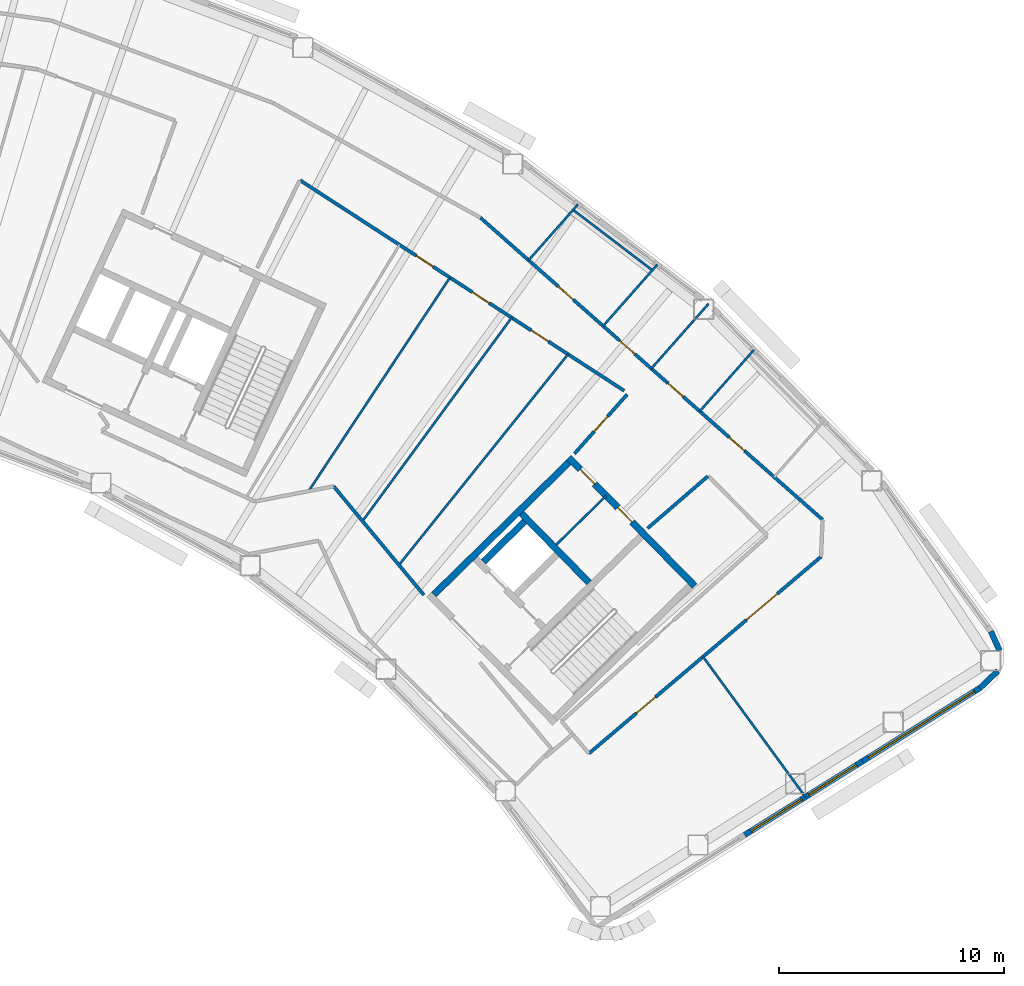
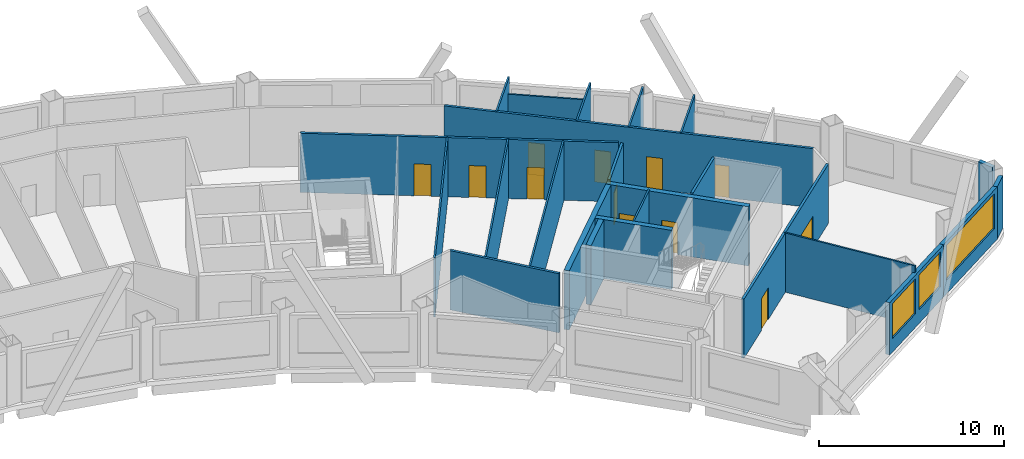
# One storey, part 10 of 15: 24 walls, 12 doors, 3 windows, 15 openings.
"""IFC4 building model written with IfcOpenShell, lengths in metres."""

from ifc_helpers import new_model, si_unit, direction, frame, frame_2d, origin, place, context, subcontext, project, spatial, rectangle, extrude, material, layer, layer_set, type_object, element, fill, save


model = new_model("IFC4")

# Units and contexts
model_context = context("Model", 3, precision=1e-05, world=origin(), true_north=direction((0.0, 1.0)))
body_context = subcontext(model_context, "Body", "Model", "MODEL_VIEW")
ifc_project = project(units=[si_unit("LENGTHUNIT", "METRE"), si_unit("AREAUNIT", "SQUARE_METRE"), si_unit("VOLUMEUNIT", "CUBIC_METRE"), si_unit("PLANEANGLEUNIT", "RADIAN"), si_unit("MASSUNIT", "GRAM", prefix="KILO")], contexts=[model_context])

# Site, building, storey
site_placement = place(None, origin())
site = spatial("IfcSite", under=ifc_project, at=site_placement, CompositionType="ELEMENT")
building_placement = place(site_placement, origin())
building = spatial("IfcBuilding", under=site, at=building_placement, Name="Tuul Gate Civic Tower", CompositionType="ELEMENT")
storey_placement = place(building_placement, frame((0.0, 0.0, 226.300048828125)))
storey = spatial("IfcBuildingStorey", under=building, at=storey_placement, Name="Level 51", CompositionType="ELEMENT", Elevation=226.300048828125)

# Wall
ifc_material_1 = material(Name="Concrete C50/60", Category="concrete")
ifc_layer_1 = layer(ifc_material_1, 0.300048828125)
ifc_layer_set_1 = layer_set([ifc_layer_1], Name="Concrete C50/60")
wall_type_1 = type_object("IfcWallType", Name="Core wall C50/60", PredefinedType="SHEAR", material=ifc_layer_set_1)
wall_1_placement = place(storey_placement, frame((49.737060546875, -12.0849609375, 0.0), z_axis=(0.0, 0.0, 1.0), x_axis=(-0.700002721075, 0.714140175657, 0.0)))
element("IfcWall", 1, at=wall_1_placement, inside=storey, type_object=wall_type_1, Name="Core wall", PredefinedType="SHEAR", context=body_context, shape_type="SweptSolid", body=[
    extrude(rectangle(XDim=4.300048828125, YDim=0.300048828125, at=frame_2d((2.14990234375, 0.0))), origin(), (0.0, 0.0, 1.0), 3.89990234375),
])

# Wall, openings, doors
wall_2_placement = place(storey_placement, frame((54.43798828125, -12.23779296875, 0.0), z_axis=(0.0, 0.0, 1.0), x_axis=(-0.700021979774, 0.714121297703, 0.0)))
wall_2 = element("IfcWall", 2, at=wall_2_placement, inside=storey, type_object=wall_type_1, Name="Core wall", PredefinedType="SHEAR", context=body_context, shape_type="SweptSolid", body=[
    extrude(rectangle(XDim=8.0, YDim=0.300048828125, at=frame_2d((4.0, 0.0))), origin(), (0.0, 0.0, 1.0), 3.89990234375),
])
opening_1_placement = place(wall_2_placement, frame((3.987548828125, 0.0, 0.0)))
opening_1 = element("IfcOpeningElement", 3, at=opening_1_placement, cuts=wall_2, Name="Opening R-D45", PredefinedType="OPENING", context=body_context, shape_type="SweptSolid", body=[
    extrude(rectangle(XDim=0.89990234375, YDim=2.10009765625, at=frame_2d((0.449951171875, 1.050048828125))), frame((0.0, 0.16015625, 0.0), z_axis=(0.0, -1.0, 0.0), x_axis=(1.0, 0.0, 0.0)), (0.0, 0.0, 1.0), 0.320068359375),
])
opening_2_placement = place(wall_2_placement, frame((6.362548828125, 0.0, 0.0)))
opening_2 = element("IfcOpeningElement", 4, at=opening_2_placement, cuts=wall_2, Name="Opening R-D46", PredefinedType="OPENING", context=body_context, shape_type="SweptSolid", body=[
    extrude(rectangle(XDim=0.89990234375, YDim=2.10009765625, at=frame_2d((0.449951171875, 1.050048828125))), frame((0.0, 0.16015625, 0.0), z_axis=(0.0, -1.0, 0.0), x_axis=(1.0, 0.0, 0.0)), (0.0, 0.0, 1.0), 0.320068359375),
])
ifc_material_2 = material(Name="Timber door leaf", Category="wood")
door_type_1 = type_object("IfcDoorType", Name="Door D09", OperationType="NOTDEFINED", PredefinedType="DOOR", material=ifc_material_2)
door_1_placement = place(opening_1_placement, origin())
door_1 = element("IfcDoor", 5, at=door_1_placement, inside=storey, type_object=door_type_1, Name="Door R-D45", OperationType="SINGLE_SWING_LEFT", OverallHeight=2.10009765625, OverallWidth=0.89990234375, PredefinedType="DOOR", context=body_context, shape_type="SweptSolid", body=[
    extrude(rectangle(XDim=0.89990234375, YDim=2.10009765625, at=frame_2d((0.449951171875, 1.050048828125))), frame((0.0, 0.02490234375, 0.0), z_axis=(0.0, -1.0, 0.0), x_axis=(1.0, 0.0, 0.0)), (0.0, 0.0, 1.0), 0.050048828125),
])
fill(opening_1, door_1)
door_2_placement = place(opening_2_placement, origin())
door_2 = element("IfcDoor", 6, at=door_2_placement, inside=storey, type_object=door_type_1, Name="Door R-D46", OperationType="SINGLE_SWING_LEFT", OverallHeight=2.10009765625, OverallWidth=0.89990234375, PredefinedType="DOOR", context=body_context, shape_type="SweptSolid", body=[
    extrude(rectangle(XDim=0.89990234375, YDim=2.10009765625, at=frame_2d((0.449951171875, 1.050048828125))), frame((0.0, 0.02490234375, 0.0), z_axis=(0.0, -1.0, 0.0), x_axis=(1.0, 0.0, 0.0)), (0.0, 0.0, 1.0), 0.050048828125),
])
fill(opening_2, door_2)

# Walls
wall_3_placement = place(storey_placement, frame((45.0439453125, -11.154052734375, 0.0), z_axis=(0.0, 0.0, 1.0), x_axis=(0.714108498262, 0.700035036773, 0.0)))
element("IfcWall", 7, at=wall_3_placement, inside=storey, type_object=wall_type_1, Name="Core wall", PredefinedType="SHEAR", context=body_context, shape_type="SweptSolid", body=[
    extrude(rectangle(XDim=2.550048828125, YDim=0.300048828125, at=frame_2d((1.27490234375, 0.0))), origin(), (0.0, 0.0, 1.0), 3.89990234375),
])
wall_4_placement = place(storey_placement, frame((42.837158203125, -12.616943359375, 0.0), z_axis=(0.0, 0.0, 1.0), x_axis=(0.714119844755, 0.700023461983, 0.0)))
element("IfcWall", 8, at=wall_4_placement, inside=storey, type_object=wall_type_1, Name="Core wall", PredefinedType="SHEAR", context=body_context, shape_type="SweptSolid", body=[
    extrude(rectangle(XDim=8.39990234375, YDim=0.300048828125, at=frame_2d((4.199951171875, 0.0))), origin(), (0.0, 0.0, 1.0), 3.89990234375),
])

# Wall, openings, doors
ifc_material_3 = material(Name="Gypsum board partition")
ifc_layer_2 = layer(ifc_material_3, 0.14990234375)
ifc_layer_set_2 = layer_set([ifc_layer_2], Name="Gypsum board partition")
wall_type_2 = type_object("IfcWallType", Name="Corridor wall P150", PredefinedType="PARTITIONING", material=ifc_layer_set_2)
wall_5_placement = place(storey_placement, frame((44.901611328125, 4.151611328125, 0.0), z_axis=(0.0, 0.0, 1.0), x_axis=(0.749748397093, -0.661723009315, 0.0)))
wall_5 = element("IfcWall", 9, at=wall_5_placement, inside=storey, type_object=wall_type_2, Name="p002", PredefinedType="PARTITIONING", context=body_context, shape_type="SweptSolid", body=[
    extrude(rectangle(XDim=20.310546875, YDim=0.14990234375, at=frame_2d((10.1552734375, 0.0))), origin(), (0.0, 0.0, 1.0), 3.89990234375),
])
opening_3_placement = place(wall_5_placement, frame((14.778564453125, 0.0, 0.0)))
opening_3 = element("IfcOpeningElement", 10, at=opening_3_placement, cuts=wall_5, Name="Opening R-D01", PredefinedType="OPENING", context=body_context, shape_type="SweptSolid", body=[
    extrude(rectangle(XDim=0.89990234375, YDim=2.10009765625, at=frame_2d((0.449951171875, 1.050048828125))), frame((0.0, 0.0849609375, 0.0), z_axis=(0.0, -1.0, 0.0), x_axis=(1.0, 0.0, 0.0)), (0.0, 0.0, 1.0), 0.169921875),
])
opening_4_placement = place(wall_5_placement, frame((4.6240234375, 0.0, 0.0)))
opening_4 = element("IfcOpeningElement", 11, at=opening_4_placement, cuts=wall_5, Name="Opening R-D02", PredefinedType="OPENING", context=body_context, shape_type="SweptSolid", body=[
    extrude(rectangle(XDim=0.89990234375, YDim=2.10009765625, at=frame_2d((0.449951171875, 1.050048828125))), frame((0.0, 0.0849609375, 0.0), z_axis=(0.0, -1.0, 0.0), x_axis=(1.0, 0.0, 0.0)), (0.0, 0.0, 1.0), 0.169921875),
])
opening_5_placement = place(wall_5_placement, frame((11.13232421875, 0.0, 0.0)))
opening_5 = element("IfcOpeningElement", 12, at=opening_5_placement, cuts=wall_5, Name="Opening R-D40", PredefinedType="OPENING", context=body_context, shape_type="SweptSolid", body=[
    extrude(rectangle(XDim=0.89990234375, YDim=2.10009765625, at=frame_2d((0.449951171875, 1.050048828125))), frame((0.0, 0.0849609375, 0.0), z_axis=(0.0, -1.0, 0.0), x_axis=(1.0, 0.0, 0.0)), (0.0, 0.0, 1.0), 0.169921875),
])
opening_6_placement = place(wall_5_placement, frame((8.26611328125, 0.0, 0.0)))
opening_6 = element("IfcOpeningElement", 13, at=opening_6_placement, cuts=wall_5, Name="Opening R-D41", PredefinedType="OPENING", context=body_context, shape_type="SweptSolid", body=[
    extrude(rectangle(XDim=0.89990234375, YDim=2.10009765625, at=frame_2d((0.449951171875, 1.050048828125))), frame((0.0, 0.0849609375, 0.0), z_axis=(0.0, -1.0, 0.0), x_axis=(1.0, 0.0, 0.0)), (0.0, 0.0, 1.0), 0.169921875),
])
door_3_placement = place(opening_3_placement, origin())
door_3 = element("IfcDoor", 14, at=door_3_placement, inside=storey, type_object=door_type_1, Name="Door R-D01", OperationType="SINGLE_SWING_RIGHT", OverallHeight=2.10009765625, OverallWidth=0.89990234375, PredefinedType="DOOR", context=body_context, shape_type="SweptSolid", body=[
    extrude(rectangle(XDim=0.89990234375, YDim=2.10009765625, at=frame_2d((0.449951171875, 1.050048828125))), frame((0.0, 0.02490234375, 0.0), z_axis=(0.0, -1.0, 0.0), x_axis=(1.0, 0.0, 0.0)), (0.0, 0.0, 1.0), 0.050048828125),
])
fill(opening_3, door_3)
door_4_placement = place(opening_4_placement, origin())
door_4 = element("IfcDoor", 15, at=door_4_placement, inside=storey, type_object=door_type_1, Name="Door R-D02", OperationType="SINGLE_SWING_RIGHT", OverallHeight=2.10009765625, OverallWidth=0.89990234375, PredefinedType="DOOR", context=body_context, shape_type="SweptSolid", body=[
    extrude(rectangle(XDim=0.89990234375, YDim=2.10009765625, at=frame_2d((0.449951171875, 1.050048828125))), frame((0.0, 0.02490234375, 0.0), z_axis=(0.0, -1.0, 0.0), x_axis=(1.0, 0.0, 0.0)), (0.0, 0.0, 1.0), 0.050048828125),
])
fill(opening_4, door_4)
door_5_placement = place(opening_5_placement, origin())
door_5 = element("IfcDoor", 16, at=door_5_placement, inside=storey, type_object=door_type_1, Name="Door R-D40", OperationType="SINGLE_SWING_RIGHT", OverallHeight=2.10009765625, OverallWidth=0.89990234375, PredefinedType="DOOR", context=body_context, shape_type="SweptSolid", body=[
    extrude(rectangle(XDim=0.89990234375, YDim=2.10009765625, at=frame_2d((0.449951171875, 1.050048828125))), frame((0.0, 0.02490234375, 0.0), z_axis=(0.0, -1.0, 0.0), x_axis=(1.0, 0.0, 0.0)), (0.0, 0.0, 1.0), 0.050048828125),
])
fill(opening_5, door_5)
door_6_placement = place(opening_6_placement, origin())
door_6 = element("IfcDoor", 17, at=door_6_placement, inside=storey, type_object=door_type_1, Name="Door R-D41", OperationType="SINGLE_SWING_RIGHT", OverallHeight=2.10009765625, OverallWidth=0.89990234375, PredefinedType="DOOR", context=body_context, shape_type="SweptSolid", body=[
    extrude(rectangle(XDim=0.89990234375, YDim=2.10009765625, at=frame_2d((0.449951171875, 1.050048828125))), frame((0.0, 0.02490234375, 0.0), z_axis=(0.0, -1.0, 0.0), x_axis=(1.0, 0.0, 0.0)), (0.0, 0.0, 1.0), 0.050048828125),
])
fill(opening_6, door_6)

# Walls
wall_6_placement = place(storey_placement, frame((38.372314453125, -7.80126953125, 0.0), z_axis=(0.0, 0.0, 1.0), x_axis=(0.638685522196, -0.769467870504, 0.0)))
element("IfcWall", 18, at=wall_6_placement, inside=storey, type_object=wall_type_2, Name="p042", PredefinedType="PARTITIONING", context=body_context, shape_type="SweptSolid", body=[
    extrude(rectangle(XDim=6.285400390625, YDim=0.14990234375, at=frame_2d((3.142578125, 0.0))), origin(), (0.0, 0.0, 1.0), 3.89990234375),
])
wall_7_placement = place(storey_placement, frame((52.342041015625, -9.67041015625, 0.0), z_axis=(0.0, 0.0, 1.0), x_axis=(0.756530576772, 0.653958321615, 0.0)))
element("IfcWall", 19, at=wall_7_placement, inside=storey, type_object=wall_type_2, Name="p045", PredefinedType="PARTITIONING", context=body_context, shape_type="SweptSolid", body=[
    extrude(rectangle(XDim=3.548828125, YDim=0.14990234375, at=frame_2d((1.7744140625, 0.0))), origin(), (0.0, 0.0, 1.0), 3.89990234375),
])

# Wall, openings, doors
wall_8_placement = place(storey_placement, frame((36.884521484375, 5.811767578125, 0.0), z_axis=(0.0, 0.0, 1.0), x_axis=(0.838708980569, -0.544579880195, 0.0)))
wall_8 = element("IfcWall", 20, at=wall_8_placement, inside=storey, type_object=wall_type_2, Name="p050", PredefinedType="PARTITIONING", context=body_context, shape_type="SweptSolid", body=[
    extrude(rectangle(XDim=17.187744140625, YDim=0.14990234375, at=frame_2d((8.59375, 0.0))), origin(), (0.0, 0.0, 1.0), 3.89990234375),
])
opening_7_placement = place(wall_8_placement, frame((12.264404296875, 0.0, 0.0)))
opening_7 = element("IfcOpeningElement", 21, at=opening_7_placement, cuts=wall_8, Name="Opening R-D13", PredefinedType="OPENING", context=body_context, shape_type="SweptSolid", body=[
    extrude(rectangle(XDim=0.89990234375, YDim=2.10009765625, at=frame_2d((0.449951171875, 1.050048828125))), frame((0.0, 0.0849609375, 0.0), z_axis=(0.0, -1.0, 0.0), x_axis=(1.0, 0.0, 0.0)), (0.0, 0.0, 1.0), 0.169921875),
])
opening_8_placement = place(wall_8_placement, frame((9.13134765625, 0.0, 0.0)))
opening_8 = element("IfcOpeningElement", 22, at=opening_8_placement, cuts=wall_8, Name="Opening R-D14", PredefinedType="OPENING", context=body_context, shape_type="SweptSolid", body=[
    extrude(rectangle(XDim=0.89990234375, YDim=2.10009765625, at=frame_2d((0.449951171875, 1.050048828125))), frame((0.0, 0.0849609375, 0.0), z_axis=(0.0, -1.0, 0.0), x_axis=(1.0, 0.0, 0.0)), (0.0, 0.0, 1.0), 0.169921875),
])
opening_9_placement = place(wall_8_placement, frame((6.156005859375, 0.0, 0.0)))
opening_9 = element("IfcOpeningElement", 23, at=opening_9_placement, cuts=wall_8, Name="Opening R-D15", PredefinedType="OPENING", context=body_context, shape_type="SweptSolid", body=[
    extrude(rectangle(XDim=0.89990234375, YDim=2.10009765625, at=frame_2d((0.449951171875, 1.050048828125))), frame((0.0, 0.0849609375, 0.0), z_axis=(0.0, -1.0, 0.0), x_axis=(1.0, 0.0, 0.0)), (0.0, 0.0, 1.0), 0.169921875),
])
door_7_placement = place(opening_7_placement, frame((0.89990234375, 0.0, 0.0), z_axis=(0.0, 0.0, 1.0), x_axis=(-1.0, 0.0, 0.0)))
door_7 = element("IfcDoor", 24, at=door_7_placement, inside=storey, type_object=door_type_1, Name="Door R-D13", OperationType="SINGLE_SWING_LEFT", OverallHeight=2.10009765625, OverallWidth=0.89990234375, PredefinedType="DOOR", context=body_context, shape_type="SweptSolid", body=[
    extrude(rectangle(XDim=0.89990234375, YDim=2.10009765625, at=frame_2d((0.449951171875, 1.050048828125))), frame((0.0, 0.02490234375, 0.0), z_axis=(0.0, -1.0, 0.0), x_axis=(1.0, 0.0, 0.0)), (0.0, 0.0, 1.0), 0.050048828125),
])
fill(opening_7, door_7)
door_8_placement = place(opening_8_placement, frame((0.89990234375, 0.0, 0.0), z_axis=(0.0, 0.0, 1.0), x_axis=(-1.0, 0.0, 0.0)))
door_8 = element("IfcDoor", 25, at=door_8_placement, inside=storey, type_object=door_type_1, Name="Door R-D14", OperationType="SINGLE_SWING_LEFT", OverallHeight=2.10009765625, OverallWidth=0.89990234375, PredefinedType="DOOR", context=body_context, shape_type="SweptSolid", body=[
    extrude(rectangle(XDim=0.89990234375, YDim=2.10009765625, at=frame_2d((0.449951171875, 1.050048828125))), frame((0.0, 0.02490234375, 0.0), z_axis=(0.0, -1.0, 0.0), x_axis=(1.0, 0.0, 0.0)), (0.0, 0.0, 1.0), 0.050048828125),
])
fill(opening_8, door_8)
door_9_placement = place(opening_9_placement, frame((0.89990234375, 0.0, 0.0), z_axis=(0.0, 0.0, 1.0), x_axis=(-1.0, 0.0, 0.0)))
door_9 = element("IfcDoor", 26, at=door_9_placement, inside=storey, type_object=door_type_1, Name="Door R-D15", OperationType="SINGLE_SWING_LEFT", OverallHeight=2.10009765625, OverallWidth=0.89990234375, PredefinedType="DOOR", context=body_context, shape_type="SweptSolid", body=[
    extrude(rectangle(XDim=0.89990234375, YDim=2.10009765625, at=frame_2d((0.449951171875, 1.050048828125))), frame((0.0, 0.02490234375, 0.0), z_axis=(0.0, -1.0, 0.0), x_axis=(1.0, 0.0, 0.0)), (0.0, 0.0, 1.0), 0.050048828125),
])
fill(opening_9, door_9)

# Wall, opening, door
wall_9_placement = place(storey_placement, frame((49.08740234375, -6.349853515625, 0.0), z_axis=(0.0, 0.0, 1.0), x_axis=(0.664668424828, 0.747138464434, 0.0)))
wall_9 = element("IfcWall", 27, at=wall_9_placement, inside=storey, type_object=wall_type_2, Name="p051", PredefinedType="PARTITIONING", context=body_context, shape_type="SweptSolid", body=[
    extrude(rectangle(XDim=3.53173828125, YDim=0.14990234375, at=frame_2d((1.765869140625, 0.0))), origin(), (0.0, 0.0, 1.0), 3.89990234375),
])
opening_10_placement = place(wall_9_placement, frame((1.31591796875, 0.0, 0.0)))
opening_10 = element("IfcOpeningElement", 28, at=opening_10_placement, cuts=wall_9, Name="Opening R-D12", PredefinedType="OPENING", context=body_context, shape_type="SweptSolid", body=[
    extrude(rectangle(XDim=0.89990234375, YDim=2.10009765625, at=frame_2d((0.449951171875, 1.050048828125))), frame((0.0, 0.0849609375, 0.0), z_axis=(0.0, -1.0, 0.0), x_axis=(1.0, 0.0, 0.0)), (0.0, 0.0, 1.0), 0.169921875),
])
door_10_placement = place(opening_10_placement, origin())
door_10 = element("IfcDoor", 29, at=door_10_placement, inside=storey, type_object=door_type_1, Name="Door R-D12", OperationType="SINGLE_SWING_RIGHT", OverallHeight=2.10009765625, OverallWidth=0.89990234375, PredefinedType="DOOR", context=body_context, shape_type="SweptSolid", body=[
    extrude(rectangle(XDim=0.89990234375, YDim=2.10009765625, at=frame_2d((0.449951171875, 1.050048828125))), frame((0.0, 0.02490234375, 0.0), z_axis=(0.0, -1.0, 0.0), x_axis=(1.0, 0.0, 0.0)), (0.0, 0.0, 1.0), 0.050048828125),
])
fill(opening_10, door_10)

# Wall, openings, doors
wall_10_placement = place(storey_placement, frame((49.731689453125, -19.6884765625, 0.0), z_axis=(0.0, 0.0, 1.0), x_axis=(0.762825626079, 0.646604256247, 0.0)))
wall_10 = element("IfcWall", 30, at=wall_10_placement, inside=storey, type_object=wall_type_2, Name="p110", PredefinedType="PARTITIONING", context=body_context, shape_type="SweptSolid", body=[
    extrude(rectangle(XDim=13.534423828125, YDim=0.14990234375, at=frame_2d((6.76708984375, 0.0))), origin(), (0.0, 0.0, 1.0), 3.89990234375),
])
opening_11_placement = place(wall_10_placement, frame((9.1953125, 0.0, 0.0)))
opening_11 = element("IfcOpeningElement", 31, at=opening_11_placement, cuts=wall_10, Name="Opening R-D38", PredefinedType="OPENING", context=body_context, shape_type="SweptSolid", body=[
    extrude(rectangle(XDim=1.800048828125, YDim=2.10009765625, at=frame_2d((0.89990234375, 1.050048828125))), frame((0.0, 0.0849609375, 0.0), z_axis=(0.0, -1.0, 0.0), x_axis=(1.0, 0.0, 0.0)), (0.0, 0.0, 1.0), 0.169921875),
])
opening_12_placement = place(wall_10_placement, frame((2.778076171875, 0.0, 0.0)))
opening_12 = element("IfcOpeningElement", 32, at=opening_12_placement, cuts=wall_10, Name="Opening R-D39", PredefinedType="OPENING", context=body_context, shape_type="SweptSolid", body=[
    extrude(rectangle(XDim=1.10009765625, YDim=2.10009765625, at=frame_2d((0.550048828125, 1.050048828125))), frame((0.0, 0.0849609375, 0.0), z_axis=(0.0, -1.0, 0.0), x_axis=(1.0, 0.0, 0.0)), (0.0, 0.0, 1.0), 0.169921875),
])
ifc_material_4 = material(Name="Timber door leaf", Category="wood")
door_type_2 = type_object("IfcDoorType", Name="Door D11", OperationType="NOTDEFINED", PredefinedType="DOOR", material=ifc_material_4)
door_11_placement = place(opening_12_placement, frame((1.10009765625, 0.0, 0.0), z_axis=(0.0, 0.0, 1.0), x_axis=(-1.0, 0.0, 0.0)))
door_11 = element("IfcDoor", 33, at=door_11_placement, inside=storey, type_object=door_type_2, Name="Door R-D39", OperationType="SINGLE_SWING_LEFT", OverallHeight=2.10009765625, OverallWidth=1.10009765625, PredefinedType="DOOR", context=body_context, shape_type="SweptSolid", body=[
    extrude(rectangle(XDim=1.10009765625, YDim=2.10009765625, at=frame_2d((0.550048828125, 1.050048828125))), frame((0.0, 0.02490234375, 0.0), z_axis=(0.0, -1.0, 0.0), x_axis=(1.0, 0.0, 0.0)), (0.0, 0.0, 1.0), 0.050048828125),
])
fill(opening_12, door_11)
ifc_material_5 = material(Name="Timber door leaf, double", Category="wood")
door_type_3 = type_object("IfcDoorType", Name="Door D18", OperationType="DOUBLE_DOOR_SINGLE_SWING", PredefinedType="DOOR", material=ifc_material_5)
door_12_placement = place(opening_11_placement, frame((1.800048828125, 0.0, 0.0), z_axis=(0.0, 0.0, 1.0), x_axis=(-1.0, 0.0, 0.0)))
door_12 = element("IfcDoor", 34, at=door_12_placement, inside=storey, type_object=door_type_3, Name="Door R-D38", OperationType="DOUBLE_DOOR_SINGLE_SWING", OverallHeight=2.10009765625, OverallWidth=1.800048828125, PredefinedType="DOOR", context=body_context, shape_type="SweptSolid", body=[
    extrude(rectangle(XDim=1.800048828125, YDim=2.10009765625, at=frame_2d((0.900146484375, 1.050048828125))), frame((0.0, 0.02490234375, 0.0), z_axis=(0.0, -1.0, 0.0), x_axis=(1.0, 0.0, 0.0)), (0.0, 0.0, 1.0), 0.050048828125),
])
fill(opening_11, door_12)

# Walls
ifc_material_6 = material(Name="Precast concrete C40/50", Category="concrete")
ifc_layer_3 = layer(ifc_material_6, 0.25)
ifc_layer_set_3 = layer_set([ifc_layer_3], Name="Precast concrete C40/50")
wall_type_3 = type_object("IfcWallType", Name="External wall", PredefinedType="STANDARD", material=ifc_layer_set_3)
wall_11_placement = place(storey_placement, frame((67.129638671875, -16.775634765625, 0.0), z_axis=(0.0, 0.0, 1.0), x_axis=(0.722112640162, 0.691775494592, 0.0)))
element("IfcWall", 35, at=wall_11_placement, inside=storey, type_object=wall_type_3, Name="External wall", PredefinedType="STANDARD", context=body_context, shape_type="SweptSolid", body=[
    extrude(rectangle(XDim=1.1025390625, YDim=0.25, at=frame_2d((0.55126953125, 0.0))), origin(), (0.0, 0.0, 1.0), 3.449951171875),
])
wall_12_placement = place(storey_placement, frame((68.0029296875, -15.113037109375, 0.0), z_axis=(0.0, 0.0, 1.0), x_axis=(-0.411921142617, 0.911219497303, 0.0)))
element("IfcWall", 36, at=wall_12_placement, inside=storey, type_object=wall_type_3, Name="External wall", PredefinedType="STANDARD", context=body_context, shape_type="SweptSolid", body=[
    extrude(rectangle(XDim=0.938720703125, YDim=0.25, at=frame_2d((0.46923828125, 0.0))), origin(), (0.0, 0.0, 1.0), 3.449951171875),
])

# Wall, openings, windows
wall_13_placement = place(storey_placement, frame((56.6630859375, -23.312744140625, 0.0), z_axis=(0.0, 0.0, 1.0), x_axis=(0.848053758074, 0.529910203164, 0.0)))
wall_13 = element("IfcWall", 37, at=wall_13_placement, inside=storey, type_object=wall_type_3, Name="External wall", PredefinedType="STANDARD", context=body_context, shape_type="SweptSolid", body=[
    extrude(rectangle(XDim=6.182861328125, YDim=0.25, at=frame_2d((3.09130859375, 0.0))), origin(), (0.0, 0.0, 1.0), 3.449951171875),
])
opening_13_placement = place(wall_13_placement, frame((0.339111328125, 0.0, 0.89990234375)))
opening_13 = element("IfcOpeningElement", 38, at=opening_13_placement, cuts=wall_13, Name="Opening W37", PredefinedType="OPENING", context=body_context, shape_type="SweptSolid", body=[
    extrude(rectangle(XDim=2.64990234375, YDim=2.300048828125, at=frame_2d((1.324951171875, 1.14990234375))), frame((0.0, 0.135009765625, 0.0), z_axis=(0.0, -1.0, 0.0), x_axis=(1.0, 0.0, 0.0)), (0.0, 0.0, 1.0), 0.27001953125),
])
opening_14_placement = place(wall_13_placement, frame((3.3642578125, 0.0, 0.89990234375)))
opening_14 = element("IfcOpeningElement", 39, at=opening_14_placement, cuts=wall_13, Name="Opening W38", PredefinedType="OPENING", context=body_context, shape_type="SweptSolid", body=[
    extrude(rectangle(XDim=2.5, YDim=2.300048828125, at=frame_2d((1.25, 1.14990234375))), frame((0.0, 0.135009765625, 0.0), z_axis=(0.0, -1.0, 0.0), x_axis=(1.0, 0.0, 0.0)), (0.0, 0.0, 1.0), 0.27001953125),
])
ifc_material_7 = material(Name="Glass", Category="glass")
window_type_1 = type_object("IfcWindowType", Name="Window 2500 x 2300", PartitioningType="SINGLE_PANEL", PredefinedType="WINDOW", material=ifc_material_7)
window_1_placement = place(opening_14_placement, origin())
window_1 = element("IfcWindow", 40, at=window_1_placement, inside=storey, type_object=window_type_1, Name="Window", OverallHeight=2.300048828125, OverallWidth=2.5, PartitioningType="SINGLE_PANEL", PredefinedType="WINDOW", context=body_context, shape_type="SweptSolid", body=[
    extrude(rectangle(XDim=2.5, YDim=2.300048828125, at=frame_2d((1.25, 1.14990234375))), frame((0.0, 0.030029296875, 0.0), z_axis=(0.0, -1.0, 0.0), x_axis=(1.0, 0.0, 0.0)), (0.0, 0.0, 1.0), 0.06005859375),
])
fill(opening_14, window_1)
ifc_material_8 = material(Name="Glass", Category="glass")
window_type_2 = type_object("IfcWindowType", Name="Window 2650 x 2300", PartitioningType="SINGLE_PANEL", PredefinedType="WINDOW", material=ifc_material_8)
window_2_placement = place(opening_13_placement, origin())
window_2 = element("IfcWindow", 41, at=window_2_placement, inside=storey, type_object=window_type_2, Name="Window", OverallHeight=2.300048828125, OverallWidth=2.64990234375, PartitioningType="SINGLE_PANEL", PredefinedType="WINDOW", context=body_context, shape_type="SweptSolid", body=[
    extrude(rectangle(XDim=2.64990234375, YDim=2.300048828125, at=frame_2d((1.324951171875, 1.14990234375))), frame((0.0, 0.030029296875, 0.0), z_axis=(0.0, -1.0, 0.0), x_axis=(1.0, 0.0, 0.0)), (0.0, 0.0, 1.0), 0.06005859375),
])
fill(opening_13, window_2)

# Wall, opening, window
wall_14_placement = place(storey_placement, frame((61.906494140625, -20.036376953125, 0.0), z_axis=(0.0, 0.0, 1.0), x_axis=(0.848042669488, 0.529927948619, 0.0)))
wall_14 = element("IfcWall", 42, at=wall_14_placement, inside=storey, type_object=wall_type_3, Name="External wall", PredefinedType="STANDARD", context=body_context, shape_type="SweptSolid", body=[
    extrude(rectangle(XDim=6.1826171875, YDim=0.25, at=frame_2d((3.09130859375, 0.0))), origin(), (0.0, 0.0, 1.0), 3.449951171875),
])
opening_15_placement = place(wall_14_placement, frame((0.31640625, 0.0, 0.89990234375)))
opening_15 = element("IfcOpeningElement", 43, at=opening_15_placement, cuts=wall_14, Name="Opening W24", PredefinedType="OPENING", context=body_context, shape_type="SweptSolid", body=[
    extrude(rectangle(XDim=5.550048828125, YDim=2.300048828125, at=frame_2d((2.77490234375, 1.14990234375))), frame((0.0, 0.135009765625, 0.0), z_axis=(0.0, -1.0, 0.0), x_axis=(1.0, 0.0, 0.0)), (0.0, 0.0, 1.0), 0.27001953125),
])
ifc_material_9 = material(Name="Glass", Category="glass")
window_type_3 = type_object("IfcWindowType", Name="Window W24 5550 x 2300", PartitioningType="SINGLE_PANEL", PredefinedType="WINDOW", material=ifc_material_9)
window_3_placement = place(opening_15_placement, origin())
window_3 = element("IfcWindow", 44, at=window_3_placement, inside=storey, type_object=window_type_3, Name="Window", OverallHeight=2.300048828125, OverallWidth=5.550048828125, PartitioningType="SINGLE_PANEL", PredefinedType="WINDOW", context=body_context, shape_type="SweptSolid", body=[
    extrude(rectangle(XDim=5.550048828125, YDim=2.300048828125, at=frame_2d((2.77490234375, 1.14990234375))), frame((0.0, 0.030029296875, 0.0), z_axis=(0.0, -1.0, 0.0), x_axis=(1.0, 0.0, 0.0)), (0.0, 0.0, 1.0), 0.06005859375),
])
fill(opening_15, window_3)

# Walls
ifc_material_10 = material(Name="Gypsum board partition")
ifc_layer_4 = layer(ifc_material_10, 0.10009765625)
ifc_layer_set_4 = layer_set([ifc_layer_4], Name="Gypsum board partition")
wall_type_4 = type_object("IfcWallType", Name="Partition P100", PredefinedType="PARTITIONING", material=ifc_layer_set_4)
wall_15_placement = place(storey_placement, frame((54.662109375, -4.463134765625, 0.0), z_axis=(0.0, 0.0, 1.0), x_axis=(0.661716988916, 0.749753710615, 0.0)))
element("IfcWall", 45, at=wall_15_placement, inside=storey, type_object=wall_type_4, Name="p003", PredefinedType="PARTITIONING", context=body_context, shape_type="SweptSolid", body=[
    extrude(rectangle(XDim=3.64111328125, YDim=0.10009765625, at=frame_2d((1.820556640625, 0.0))), origin(), (0.0, 0.0, 1.0), 3.89990234375),
])
wall_16_placement = place(storey_placement, frame((47.049072265625, 2.25634765625, 0.0), z_axis=(0.0, 0.0, 1.0), x_axis=(0.661662967546, 0.749801385287, 0.0)))
element("IfcWall", 46, at=wall_16_placement, inside=storey, type_object=wall_type_4, Name="p004", PredefinedType="PARTITIONING", context=body_context, shape_type="SweptSolid", body=[
    extrude(rectangle(XDim=3.3212890625, YDim=0.10009765625, at=frame_2d((1.66064453125, 0.0))), origin(), (0.0, 0.0, 1.0), 3.89990234375),
])
wall_17_placement = place(storey_placement, frame((50.36279296875, -0.66845703125, 0.0), z_axis=(0.0, 0.0, 1.0), x_axis=(0.661759098604, 0.749716543378, 0.0)))
element("IfcWall", 47, at=wall_17_placement, inside=storey, type_object=wall_type_4, Name="p005", PredefinedType="PARTITIONING", context=body_context, shape_type="SweptSolid", body=[
    extrude(rectangle(XDim=3.6416015625, YDim=0.10009765625, at=frame_2d((1.82080078125, 0.0))), origin(), (0.0, 0.0, 1.0), 3.89990234375),
])
wall_18_placement = place(storey_placement, frame((41.2783203125, -11.30224609375, 0.0), z_axis=(0.0, 0.0, 1.0), x_axis=(0.625912806386, 0.779893043181, 0.0)))
element("IfcWall", 48, at=wall_18_placement, inside=storey, type_object=wall_type_4, Name="p049", PredefinedType="PARTITIONING", context=body_context, shape_type="SweptSolid", body=[
    extrude(rectangle(XDim=12.021484375, YDim=0.10009765625, at=frame_2d((6.0107421875, 0.0))), origin(), (0.0, 0.0, 1.0), 3.89990234375),
])
wall_19_placement = place(storey_placement, frame((39.65673828125, -9.348876953125, 0.0), z_axis=(0.0, 0.0, 1.0), x_axis=(0.591312739588, 0.806442337679, 0.0)))
element("IfcWall", 49, at=wall_19_placement, inside=storey, type_object=wall_type_4, Name="p052", PredefinedType="PARTITIONING", context=body_context, shape_type="SweptSolid", body=[
    extrude(rectangle(XDim=11.2236328125, YDim=0.10009765625, at=frame_2d((5.61181640625, 0.0))), origin(), (0.0, 0.0, 1.0), 3.89990234375),
])
wall_20_placement = place(storey_placement, frame((37.258056640625, -8.016357421875, 0.0), z_axis=(0.0, 0.0, 1.0), x_axis=(0.55192825399, 0.833891601137, 0.0)))
element("IfcWall", 50, at=wall_20_placement, inside=storey, type_object=wall_type_4, Name="p053", PredefinedType="PARTITIONING", context=body_context, shape_type="SweptSolid", body=[
    extrude(rectangle(XDim=11.394775390625, YDim=0.10009765625, at=frame_2d((5.697265625, 0.0))), origin(), (0.0, 0.0, 1.0), 3.89990234375),
])
wall_21_placement = place(storey_placement, frame((54.80908203125, -15.384765625, 0.0), z_axis=(0.0, 0.0, 1.0), x_axis=(0.589805959619, -0.807545001841, 0.0)))
element("IfcWall", 51, at=wall_21_placement, inside=storey, type_object=wall_type_4, Name="p108", PredefinedType="PARTITIONING", context=body_context, shape_type="SweptSolid", body=[
    extrude(rectangle(XDim=7.73095703125, YDim=0.10009765625, at=frame_2d((3.865478515625, 0.0))), origin(), (0.0, 0.0, 1.0), 3.89990234375),
])
wall_22_placement = place(storey_placement, frame((52.509521484375, -2.56298828125, 0.0), z_axis=(0.0, 0.0, 1.0), x_axis=(0.661713940465, 0.749756401102, 0.0)))
element("IfcWall", 52, at=wall_22_placement, inside=storey, type_object=wall_type_4, Name="p111", PredefinedType="PARTITIONING", context=body_context, shape_type="SweptSolid", body=[
    extrude(rectangle(XDim=3.848876953125, YDim=0.10009765625, at=frame_2d((1.92431640625, 0.0))), origin(), (0.0, 0.0, 1.0), 3.89990234375),
])
wall_23_placement = place(storey_placement, frame((48.28662109375, -10.390869140625, 0.0), z_axis=(0.0, 0.0, 1.0), x_axis=(0.714159293908, 0.699983216173, 0.0)))
element("IfcWall", 53, at=wall_23_placement, inside=storey, type_object=wall_type_4, Name="bE1-BAND-0", PredefinedType="PARTITIONING", context=body_context, shape_type="SweptSolid", body=[
    extrude(rectangle(XDim=3.099853515625, YDim=0.10009765625, at=frame_2d((1.5498046875, 0.0))), origin(), (0.0, 0.0, 1.0), 3.89990234375),
])
ifc_material_11 = material(Name="Gypsum board partition")
ifc_layer_5 = layer(ifc_material_11, 0.10009765625)
ifc_layer_set_5 = layer_set([ifc_layer_5], Name="Gypsum board partition")
wall_type_5 = type_object("IfcWallType", Name="Partition P100 3000 HIGH", PredefinedType="PARTITIONING", material=ifc_layer_set_5)
wall_24_placement = place(storey_placement, frame((49.02783203125, 4.498291015625, 0.0), z_axis=(0.0, 0.0, 1.0), x_axis=(0.795628963332, -0.605784246005, 0.0)))
element("IfcWall", 54, at=wall_24_placement, inside=storey, type_object=wall_type_5, Name="p113", PredefinedType="PARTITIONING", context=body_context, shape_type="SweptSolid", body=[
    extrude(rectangle(XDim=4.431640625, YDim=0.10009765625, at=frame_2d((2.2158203125, 0.0))), origin(), (0.0, 0.0, 1.0), 3.0),
])

save(model, "model.ifc")
